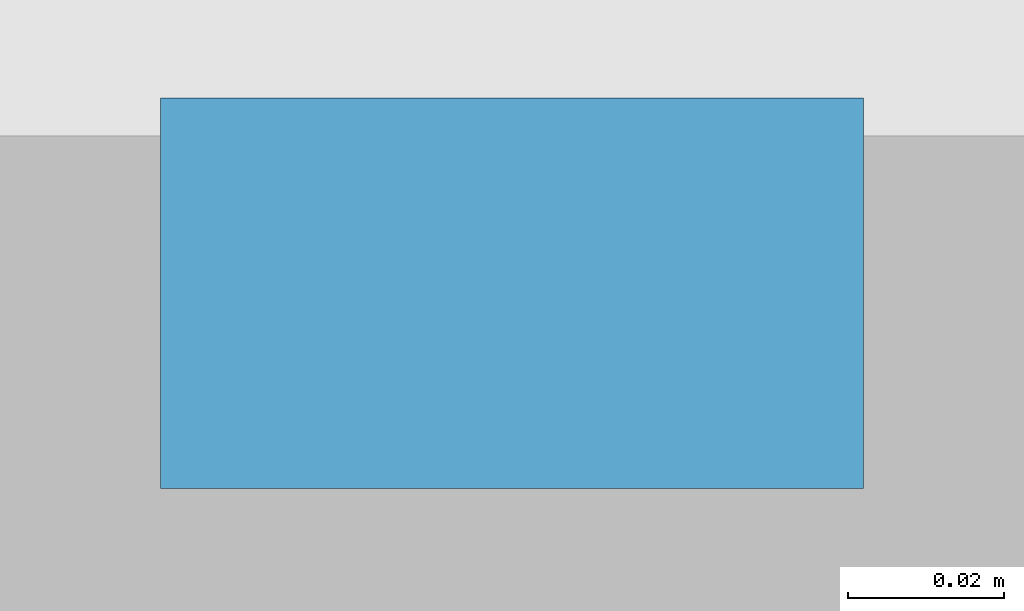
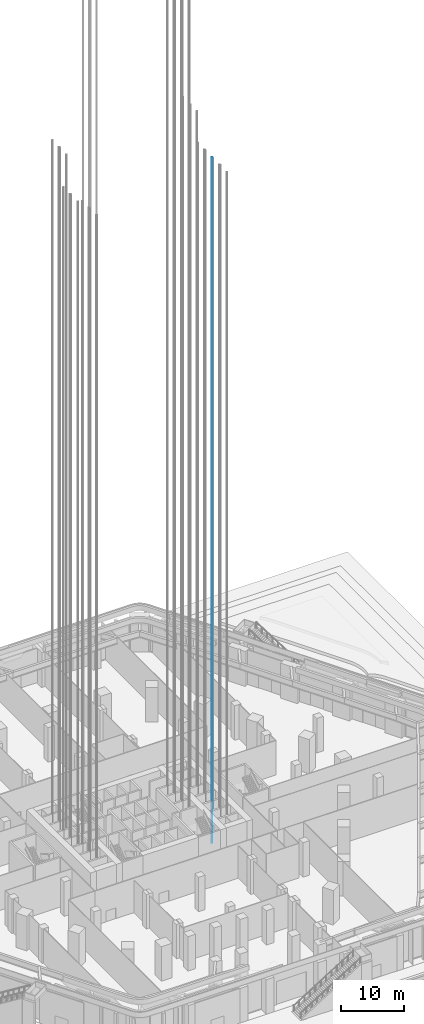
# One storey, part 50 of 68: 1 discrete accessory.
"""IFC4 building model written with IfcOpenShell, lengths in metres."""

from ifc_helpers import new_model, si_unit, direction, frame, origin, origin_2d, place, context, subcontext, project, spatial, rectangle, extrude, element, save


model = new_model("IFC4")

# Units and contexts
model_context = context("Model", 3, precision=1e-05, world=origin(), true_north=direction((0.0, 1.0)))
body_context = subcontext(model_context, "Body", "Model", "MODEL_VIEW")
ifc_project = project(units=[si_unit("LENGTHUNIT", "METRE"), si_unit("AREAUNIT", "SQUARE_METRE"), si_unit("VOLUMEUNIT", "CUBIC_METRE"), si_unit("PLANEANGLEUNIT", "RADIAN"), si_unit("MASSUNIT", "GRAM", prefix="KILO")], contexts=[model_context])

# Site, building, storey
site_placement = place(None, origin())
site = spatial("IfcSite", under=ifc_project, at=site_placement, CompositionType="ELEMENT")
building_placement = place(site_placement, origin())
building = spatial("IfcBuilding", under=site, at=building_placement, Name="Kolab Exchange Tower", CompositionType="ELEMENT")
storey_placement = place(building_placement, origin())
storey = spatial("IfcBuildingStorey", under=building, at=storey_placement, Name="L00", CompositionType="ELEMENT", Elevation=0.0)

# Discrete accessory
discrete_accessory_placement = place(storey_placement, frame((12.0, -2.27001953125, -1.599853515625), z_axis=(0.0, 0.0, 1.0), x_axis=(1.0, 0.0, 0.0)))
element("IfcDiscreteAccessory", 1, at=discrete_accessory_placement, inside=storey, Name="Guide rail LR3-1", ObjectType="GUIDE RAIL", PredefinedType="USERDEFINED", context=body_context, shape_type="SweptSolid", body=[
    extrude(rectangle(XDim=0.090087890625, YDim=0.050048828125, at=origin_2d()), origin(), (0.0, 0.0, 1.0), 133.39990234375),
])

save(model, "model.ifc")
